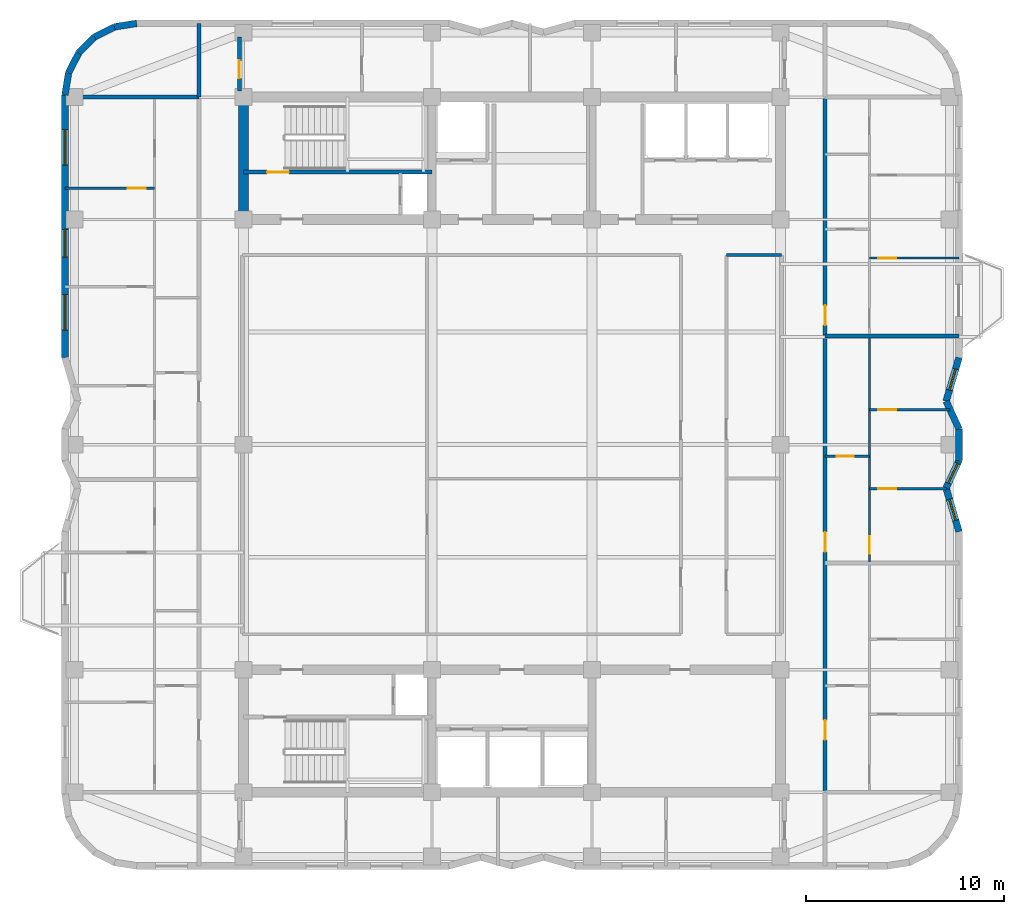
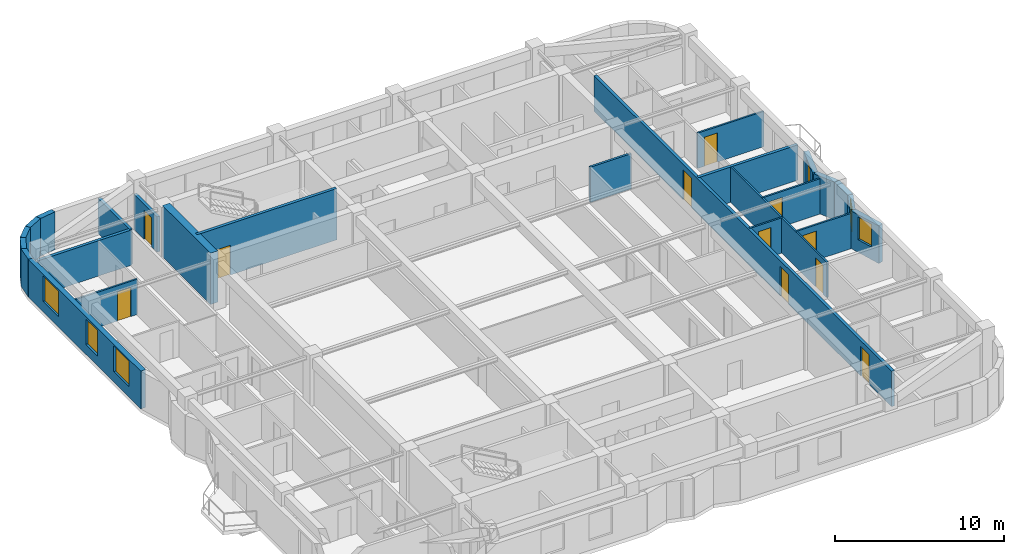
# One storey, part 5 of 9: 25 walls, 11 doors, 6 windows, 17 openings.
"""IFC4 building model written with IfcOpenShell, lengths in metres."""

from ifc_helpers import new_model, si_unit, direction, frame, frame_2d, origin, place, context, subcontext, project, spatial, rectangle, extrude, material, layer, layer_set, type_object, element, fill, save


model = new_model("IFC4")

# Units and contexts
model_context = context("Model", 3, precision=1e-05, world=origin(), true_north=direction((0.0, 1.0)))
body_context = subcontext(model_context, "Body", "Model", "MODEL_VIEW")
ifc_project = project(units=[si_unit("LENGTHUNIT", "METRE"), si_unit("AREAUNIT", "SQUARE_METRE"), si_unit("VOLUMEUNIT", "CUBIC_METRE"), si_unit("PLANEANGLEUNIT", "RADIAN"), si_unit("MASSUNIT", "GRAM", prefix="KILO")], contexts=[model_context])

# Site, building, storey
site_placement = place(None, origin())
site = spatial("IfcSite", under=ifc_project, at=site_placement, CompositionType="ELEMENT")
building_placement = place(site_placement, origin())
building = spatial("IfcBuilding", under=site, at=building_placement, Name="Svetorya Sky Lyceum", CompositionType="ELEMENT")
storey_placement = place(building_placement, frame((0.0, 0.0, 207.300048828125)))
storey = spatial("IfcBuildingStorey", under=building, at=storey_placement, Name="L51", CompositionType="ELEMENT", Elevation=207.300048828125)

# Wall
ifc_material_1 = material(Name="Concrete C50/60", Category="concrete")
ifc_layer_1 = layer(ifc_material_1, 0.5)
ifc_layer_set_1 = layer_set([ifc_layer_1], Name="Concrete C50/60")
wall_type_1 = type_object("IfcWallType", Name="WL-CORE-500", PredefinedType="SHEAR", material=ifc_layer_set_1)
wall_1_placement = place(storey_placement, frame((25.60009765625, 39.85009765625, 0.0), z_axis=(0.0, 0.0, 1.0), x_axis=(0.0, 1.0, 0.0)))
element("IfcWall", 1, at=wall_1_placement, inside=storey, type_object=wall_type_1, Name="L51 NC West Core Shear Wall", PredefinedType="SHEAR", context=body_context, shape_type="SweptSolid", body=[
    extrude(rectangle(XDim=5.699951171875, YDim=0.5, at=frame_2d((2.85009765625, 0.0))), origin(), (0.0, 0.0, 1.0), 3.699951171875),
])

# Wall, opening, window
ifc_material_2 = material(Name="Putilovo limestone rainscreen on autoclaved cellular masonry", Category="masonry")
ifc_layer_2 = layer(ifc_material_2, 0.340087890625)
ifc_layer_set_2 = layer_set([ifc_layer_2], Name="Putilovo limestone rainscreen on autoclaved cellular masonry")
wall_type_2 = type_object("IfcWallType", Name="WL-EXT-340", PredefinedType="SOLIDWALL", material=ifc_layer_set_2)
wall_2_placement = place(storey_placement, frame((61.830078125, 23.800048828125, 0.0), z_axis=(0.0, 0.0, 1.0), x_axis=(-0.283410652833, 0.958998645391, 0.0)))
wall_2 = element("IfcWall", 2, at=wall_2_placement, inside=storey, type_object=wall_type_2, Name="L51 Limestone Exterior Wall 18M", PredefinedType="SOLIDWALL", context=body_context, shape_type="SweptSolid", body=[
    extrude(rectangle(XDim=2.2939453125, YDim=0.340087890625, at=frame_2d((1.14697265625, 0.0))), origin(), (0.0, 0.0, 1.0), 2.719970703125),
])
opening_1_placement = place(wall_2_placement, frame((0.596923828125, 0.0, 0.909912109375)))
opening_1 = element("IfcOpeningElement", 3, at=opening_1_placement, cuts=wall_2, Name="Opening W-R3", PredefinedType="OPENING", context=body_context, shape_type="SweptSolid", body=[
    extrude(rectangle(XDim=1.10009765625, YDim=1.64990234375, at=frame_2d((0.550048828125, 0.824951171875))), frame((0.0, 0.179931640625, 0.0), z_axis=(0.0, -1.0, 0.0), x_axis=(1.0, 0.0, 0.0)), (0.0, 0.0, 1.0), 0.360107421875),
])
ifc_material_3 = material(Name="Thermally broken aluminium frame with triple low-E glazing", Category="aluminium")
window_type_1 = type_object("IfcWindowType", Name="WN-RES-110", PartitioningType="SINGLE_PANEL", PredefinedType="WINDOW", material=ifc_material_3)
window_1_placement = place(opening_1_placement, origin())
window_1 = element("IfcWindow", 4, at=window_1_placement, inside=storey, type_object=window_type_1, Name="L51 Facade Window W-R3.18M.1", OverallHeight=1.64990234375, OverallWidth=1.10009765625, PartitioningType="SINGLE_PANEL", PredefinedType="WINDOW", context=body_context, shape_type="SweptSolid", body=[
    extrude(rectangle(XDim=1.10009765625, YDim=1.64990234375, at=frame_2d((0.550048828125, 0.824951171875))), frame((0.0, 0.030029296875, 0.0), z_axis=(0.0, -1.0, 0.0), x_axis=(1.0, 0.0, 0.0)), (0.0, 0.0, 1.0), 0.06005859375),
])
fill(opening_1, window_1)

wall_3_placement = place(storey_placement, frame((61.179931640625, 26.0, 0.0), z_axis=(0.0, 0.0, 1.0), x_axis=(0.421213543339, 0.906961493619, 0.0)))
wall_3 = element("IfcWall", 5, at=wall_3_placement, inside=storey, type_object=wall_type_2, Name="L51 Limestone Exterior Wall 19M", PredefinedType="SOLIDWALL", context=body_context, shape_type="SweptSolid", body=[
    extrude(rectangle(XDim=1.54345703125, YDim=0.340087890625, at=frame_2d((0.771728515625, 0.0))), origin(), (0.0, 0.0, 1.0), 2.719970703125),
])
opening_2_placement = place(wall_3_placement, frame((0.280029296875, 0.0, 0.909912109375)))
opening_2 = element("IfcOpeningElement", 6, at=opening_2_placement, cuts=wall_3, Name="Opening W-R3", PredefinedType="OPENING", context=body_context, shape_type="SweptSolid", body=[
    extrude(rectangle(XDim=1.10009765625, YDim=1.64990234375, at=frame_2d((0.550048828125, 0.824951171875))), frame((0.0, 0.179931640625, 0.0), z_axis=(0.0, -1.0, 0.0), x_axis=(1.0, 0.0, 0.0)), (0.0, 0.0, 1.0), 0.360107421875),
])
window_2_placement = place(opening_2_placement, origin())
window_2 = element("IfcWindow", 7, at=window_2_placement, inside=storey, type_object=window_type_1, Name="L51 Facade Window W-R3.19M.1", OverallHeight=1.64990234375, OverallWidth=1.10009765625, PartitioningType="SINGLE_PANEL", PredefinedType="WINDOW", context=body_context, shape_type="SweptSolid", body=[
    extrude(rectangle(XDim=1.10009765625, YDim=1.64990234375, at=frame_2d((0.550048828125, 0.824951171875))), frame((0.0, 0.030029296875, 0.0), z_axis=(0.0, -1.0, 0.0), x_axis=(1.0, 0.0, 0.0)), (0.0, 0.0, 1.0), 0.06005859375),
])
fill(opening_2, window_2)

# Walls
wall_4_placement = place(storey_placement, frame((61.830078125, 27.39990234375, 0.0), z_axis=(0.0, 0.0, 1.0), x_axis=(0.0, 1.0, 0.0)))
element("IfcWall", 8, at=wall_4_placement, inside=storey, type_object=wall_type_2, Name="L51 Limestone Exterior Wall 20M", PredefinedType="SOLIDWALL", context=body_context, shape_type="SweptSolid", body=[
    extrude(rectangle(XDim=1.60009765625, YDim=0.340087890625, at=frame_2d((0.800048828125, 0.0))), origin(), (0.0, 0.0, 1.0), 2.719970703125),
])
wall_5_placement = place(storey_placement, frame((61.830078125, 29.0, 0.0), z_axis=(0.0, 0.0, 1.0), x_axis=(-0.421213543339, 0.906961493619, 0.0)))
element("IfcWall", 9, at=wall_5_placement, inside=storey, type_object=wall_type_2, Name="L51 Limestone Exterior Wall 21M", PredefinedType="SOLIDWALL", context=body_context, shape_type="SweptSolid", body=[
    extrude(rectangle(XDim=1.54345703125, YDim=0.340087890625, at=frame_2d((0.771728515625, 0.0))), origin(), (0.0, 0.0, 1.0), 2.719970703125),
])

# Wall, opening, window
wall_6_placement = place(storey_placement, frame((61.179931640625, 30.39990234375, 0.0), z_axis=(0.0, 0.0, 1.0), x_axis=(0.283381730269, 0.959007192335, 0.0)))
wall_6 = element("IfcWall", 10, at=wall_6_placement, inside=storey, type_object=wall_type_2, Name="L51 Limestone Exterior Wall 22M", PredefinedType="SOLIDWALL", context=body_context, shape_type="SweptSolid", body=[
    extrude(rectangle(XDim=2.294189453125, YDim=0.340087890625, at=frame_2d((1.14697265625, 0.0))), origin(), (0.0, 0.0, 1.0), 2.719970703125),
])
opening_3_placement = place(wall_6_placement, frame((0.596923828125, 0.0, 0.909912109375)))
opening_3 = element("IfcOpeningElement", 11, at=opening_3_placement, cuts=wall_6, Name="Opening W-R3", PredefinedType="OPENING", context=body_context, shape_type="SweptSolid", body=[
    extrude(rectangle(XDim=1.10009765625, YDim=1.64990234375, at=frame_2d((0.550048828125, 0.824951171875))), frame((0.0, 0.179931640625, 0.0), z_axis=(0.0, -1.0, 0.0), x_axis=(1.0, 0.0, 0.0)), (0.0, 0.0, 1.0), 0.360107421875),
])
window_3_placement = place(opening_3_placement, origin())
window_3 = element("IfcWindow", 12, at=window_3_placement, inside=storey, type_object=window_type_1, Name="L51 Facade Window W-R3.22M.1", OverallHeight=1.64990234375, OverallWidth=1.10009765625, PartitioningType="SINGLE_PANEL", PredefinedType="WINDOW", context=body_context, shape_type="SweptSolid", body=[
    extrude(rectangle(XDim=1.10009765625, YDim=1.64990234375, at=frame_2d((0.550048828125, 0.824951171875))), frame((0.0, 0.030029296875, 0.0), z_axis=(0.0, -1.0, 0.0), x_axis=(1.0, 0.0, 0.0)), (0.0, 0.0, 1.0), 0.06005859375),
])
fill(opening_3, window_3)

# Walls
wall_7_placement = place(storey_placement, frame((20.199951171875, 49.530029296875, 0.0), z_axis=(0.0, 0.0, 1.0), x_axis=(-0.987675651954, -0.156514556949, 0.0)))
element("IfcWall", 13, at=wall_7_placement, inside=storey, type_object=wall_type_2, Name="L51 Limestone Exterior Wall 35M", PredefinedType="SOLIDWALL", context=body_context, shape_type="SweptSolid", body=[
    extrude(rectangle(XDim=1.135498046875, YDim=0.340087890625, at=frame_2d((0.56787109375, 0.0))), origin(), (0.0, 0.0, 1.0), 2.719970703125),
])
for number, where, z_axis, x_axis, name in (
    (14, (19.078369140625, 49.352294921875, 0.0), (0.0, 0.0, 1.0), (-0.891005044957, -0.453993402883, 0.0), "L51 Limestone Exterior Wall 36M"),
    (15, (18.06640625, 48.836669921875, 0.0), (0.0, 0.0, 1.0), (-0.707214252388, -0.706999293649, 0.0), "L51 Limestone Exterior Wall 37M"),
    (16, (17.26318359375, 48.03369140625, 0.0), (0.0, 0.0, 1.0), (-0.453822724105, -0.891091990249, 0.0), "L51 Limestone Exterior Wall 38M"),
    (17, (16.747802734375, 47.021728515625, 0.0), (0.0, 0.0, 1.0), (-0.156481329164, -0.987680916907, 0.0), "L51 Limestone Exterior Wall 39M"),
):
    element("IfcWall", number, at=place(storey_placement, frame(where, z_axis=z_axis, x_axis=x_axis)), inside=storey, type_object=wall_type_2, Name=name, PredefinedType="SOLIDWALL", context=body_context, shape_type="SweptSolid", body=[
        extrude(rectangle(XDim=1.1357421875, YDim=0.340087890625, at=frame_2d((0.56787109375, 0.0))), origin(), (0.0, 0.0, 1.0), 2.719970703125),
    ])

# Wall, openings, windows
wall_8_placement = place(storey_placement, frame((16.570068359375, 45.89990234375, 0.0), z_axis=(0.0, 0.0, 1.0), x_axis=(0.0, -1.0, 0.0)))
wall_8 = element("IfcWall", 18, at=wall_8_placement, inside=storey, type_object=wall_type_2, Name="L51 Limestone Exterior Wall 40M", PredefinedType="SOLIDWALL", context=body_context, shape_type="SweptSolid", body=[
    extrude(rectangle(XDim=13.2998046875, YDim=0.340087890625, at=frame_2d((6.64990234375, 0.0))), origin(), (0.0, 0.0, 1.0), 2.719970703125),
])
opening_4_placement = place(wall_8_placement, frame((1.75, 0.0, 0.75)))
opening_4 = element("IfcOpeningElement", 19, at=opening_4_placement, cuts=wall_8, Name="Opening W-R1", PredefinedType="OPENING", context=body_context, shape_type="SweptSolid", body=[
    extrude(rectangle(XDim=1.800048828125, YDim=1.85009765625, at=frame_2d((0.89990234375, 0.925048828125))), frame((0.0, 0.179931640625, 0.0), z_axis=(0.0, -1.0, 0.0), x_axis=(1.0, 0.0, 0.0)), (0.0, 0.0, 1.0), 0.360107421875),
])
opening_5_placement = place(wall_8_placement, frame((6.800048828125, 0.0, 0.7099609375)))
opening_5 = element("IfcOpeningElement", 20, at=opening_5_placement, cuts=wall_8, Name="Opening W-R2", PredefinedType="OPENING", context=body_context, shape_type="SweptSolid", body=[
    extrude(rectangle(XDim=1.39990234375, YDim=1.85009765625, at=frame_2d((0.699951171875, 0.925048828125))), frame((0.0, 0.179931640625, 0.0), z_axis=(0.0, -1.0, 0.0), x_axis=(1.0, 0.0, 0.0)), (0.0, 0.0, 1.0), 0.360107421875),
])
opening_6_placement = place(wall_8_placement, frame((10.10009765625, 0.0, 0.75)))
opening_6 = element("IfcOpeningElement", 21, at=opening_6_placement, cuts=wall_8, Name="Opening W-R1", PredefinedType="OPENING", context=body_context, shape_type="SweptSolid", body=[
    extrude(rectangle(XDim=1.800048828125, YDim=1.85009765625, at=frame_2d((0.89990234375, 0.925048828125))), frame((0.0, 0.179931640625, 0.0), z_axis=(0.0, -1.0, 0.0), x_axis=(1.0, 0.0, 0.0)), (0.0, 0.0, 1.0), 0.360107421875),
])
window_type_2 = type_object("IfcWindowType", Name="WN-RES-140", PartitioningType="SINGLE_PANEL", PredefinedType="WINDOW", material=ifc_material_3)
window_4_placement = place(opening_5_placement, origin())
window_4 = element("IfcWindow", 22, at=window_4_placement, inside=storey, type_object=window_type_2, Name="L51 Facade Window W-R2.40M.3", OverallHeight=1.85009765625, OverallWidth=1.39990234375, PartitioningType="SINGLE_PANEL", PredefinedType="WINDOW", context=body_context, shape_type="SweptSolid", body=[
    extrude(rectangle(XDim=1.39990234375, YDim=1.85009765625, at=frame_2d((0.699951171875, 0.925048828125))), frame((0.0, 0.030029296875, 0.0), z_axis=(0.0, -1.0, 0.0), x_axis=(1.0, 0.0, 0.0)), (0.0, 0.0, 1.0), 0.06005859375),
])
fill(opening_5, window_4)
window_type_3 = type_object("IfcWindowType", Name="WN-RES-180", PartitioningType="DOUBLE_PANEL_VERTICAL", PredefinedType="WINDOW", material=ifc_material_3)
window_5_placement = place(opening_4_placement, origin())
window_5 = element("IfcWindow", 23, at=window_5_placement, inside=storey, type_object=window_type_3, Name="L51 Facade Window W-R1.40M.1", OverallHeight=1.85009765625, OverallWidth=1.800048828125, PartitioningType="SINGLE_PANEL", PredefinedType="WINDOW", context=body_context, shape_type="SweptSolid", body=[
    extrude(rectangle(XDim=1.800048828125, YDim=1.85009765625, at=frame_2d((0.89990234375, 0.925048828125))), frame((0.0, 0.030029296875, 0.0), z_axis=(0.0, -1.0, 0.0), x_axis=(1.0, 0.0, 0.0)), (0.0, 0.0, 1.0), 0.06005859375),
])
fill(opening_4, window_5)
window_6_placement = place(opening_6_placement, origin())
window_6 = element("IfcWindow", 24, at=window_6_placement, inside=storey, type_object=window_type_3, Name="L51 Facade Window W-R1.40M.2", OverallHeight=1.85009765625, OverallWidth=1.800048828125, PartitioningType="SINGLE_PANEL", PredefinedType="WINDOW", context=body_context, shape_type="SweptSolid", body=[
    extrude(rectangle(XDim=1.800048828125, YDim=1.85009765625, at=frame_2d((0.89990234375, 0.925048828125))), frame((0.0, 0.030029296875, 0.0), z_axis=(0.0, -1.0, 0.0), x_axis=(1.0, 0.0, 0.0)), (0.0, 0.0, 1.0), 0.06005859375),
])
fill(opening_6, window_6)

# Wall, opening, door
ifc_material_4 = material(Name="Twin-stud galvanized framing with double fireboard", Category="gypsum")
ifc_layer_3 = layer(ifc_material_4, 0.1201171875)
ifc_layer_set_3 = layer_set([ifc_layer_3], Name="Twin-stud galvanized framing with double fireboard")
wall_type_3 = type_object("IfcWallType", Name="WL-PART-120", PredefinedType="PARTITIONING", material=ifc_layer_set_3)
wall_9_placement = place(storey_placement, frame((16.570068359375, 41.18994140625, 0.0), z_axis=(0.0, 0.0, 1.0), x_axis=(1.0, 0.0, 0.0)))
wall_9 = element("IfcWall", 25, at=wall_9_placement, inside=storey, type_object=wall_type_3, Name="L51 Interior Partition W2-WL3", PredefinedType="PARTITIONING", context=body_context, shape_type="SweptSolid", body=[
    extrude(rectangle(XDim=4.530029296875, YDim=0.1201171875, at=frame_2d((2.26513671875, 0.0))), origin(), (0.0, 0.0, 1.0), 2.550048828125),
])
opening_7_placement = place(wall_9_placement, frame((3.179931640625, 0.0, 0.0)))
opening_7 = element("IfcOpeningElement", 26, at=opening_7_placement, cuts=wall_9, Name="Opening D-RM1", PredefinedType="OPENING", context=body_context, shape_type="SweptSolid", body=[
    extrude(rectangle(XDim=0.89990234375, YDim=2.10009765625, at=frame_2d((0.449951171875, 1.050048828125))), frame((0.0, 0.070068359375, 0.0), z_axis=(0.0, -1.0, 0.0), x_axis=(1.0, 0.0, 0.0)), (0.0, 0.0, 1.0), 0.14013671875),
])
ifc_material_5 = material(Name="Lacquered birch veneer internal door")
door_type_1 = type_object("IfcDoorType", Name="DR-INT-900", OperationType="SINGLE_SWING_LEFT", PredefinedType="DOOR", material=ifc_material_5)
door_1_placement = place(opening_7_placement, origin())
door_1 = element("IfcDoor", 27, at=door_1_placement, inside=storey, type_object=door_type_1, Name="Apartment W2 Bedroom 3 Door", OperationType="SINGLE_SWING_RIGHT", OverallHeight=2.10009765625, OverallWidth=0.89990234375, PredefinedType="DOOR", context=body_context, shape_type="SweptSolid", body=[
    extrude(rectangle(XDim=0.89990234375, YDim=2.10009765625, at=frame_2d((0.449951171875, 1.050048828125))), frame((0.0, 0.02490234375, 0.0), z_axis=(0.0, -1.0, 0.0), x_axis=(1.0, 0.0, 0.0)), (0.0, 0.0, 1.0), 0.050048828125),
])
fill(opening_7, door_1)

wall_10_placement = place(storey_placement, frame((55.050048828125, 27.615966796875, 0.0), z_axis=(0.0, 0.0, 1.0), x_axis=(1.0, 0.0, 0.0)))
wall_10 = element("IfcWall", 28, at=wall_10_placement, inside=storey, type_object=wall_type_3, Name="L51 Interior Partition E2-WH1", PredefinedType="PARTITIONING", context=body_context, shape_type="SweptSolid", body=[
    extrude(rectangle(XDim=2.25, YDim=0.1201171875, at=frame_2d((1.125, 0.0))), origin(), (0.0, 0.0, 1.0), 2.550048828125),
])
opening_8_placement = place(wall_10_placement, frame((0.60009765625, 0.0, 0.0)))
opening_8 = element("IfcOpeningElement", 29, at=opening_8_placement, cuts=wall_10, Name="Opening D-BT1", PredefinedType="OPENING", context=body_context, shape_type="SweptSolid", body=[
    extrude(rectangle(XDim=0.85009765625, YDim=2.10009765625, at=frame_2d((0.425048828125, 1.050048828125))), frame((0.0, 0.070068359375, 0.0), z_axis=(0.0, -1.0, 0.0), x_axis=(1.0, 0.0, 0.0)), (0.0, 0.0, 1.0), 0.14013671875),
])
ifc_material_6 = material(Name="Moisture-resistant laminate bathroom door")
door_type_2 = type_object("IfcDoorType", Name="DR-WET-850", OperationType="SINGLE_SWING_LEFT", PredefinedType="DOOR", material=ifc_material_6)
door_2_placement = place(opening_8_placement, origin())
door_2 = element("IfcDoor", 30, at=door_2_placement, inside=storey, type_object=door_type_2, Name="Apartment E2 Bathroom Door", OperationType="SINGLE_SWING_LEFT", OverallHeight=2.10009765625, OverallWidth=0.85009765625, PredefinedType="DOOR", context=body_context, shape_type="SweptSolid", body=[
    extrude(rectangle(XDim=0.85009765625, YDim=2.10009765625, at=frame_2d((0.425048828125, 1.050048828125))), frame((0.0, 0.02490234375, 0.0), z_axis=(0.0, -1.0, 0.0), x_axis=(1.0, 0.0, 0.0)), (0.0, 0.0, 1.0), 0.050048828125),
])
fill(opening_8, door_2)

wall_11_placement = place(storey_placement, frame((57.300048828125, 25.966064453125, 0.0), z_axis=(0.0, 0.0, 1.0), x_axis=(1.0, 0.0, 0.0)))
wall_11 = element("IfcWall", 31, at=wall_11_placement, inside=storey, type_object=wall_type_3, Name="L51 Interior Partition E2-WL1", PredefinedType="PARTITIONING", context=body_context, shape_type="SweptSolid", body=[
    extrude(rectangle(XDim=3.889892578125, YDim=0.1201171875, at=frame_2d((1.94482421875, 0.0))), origin(), (0.0, 0.0, 1.0), 2.550048828125),
])
opening_9_placement = place(wall_11_placement, frame((0.449951171875, 0.0, 0.0)))
opening_9 = element("IfcOpeningElement", 32, at=opening_9_placement, cuts=wall_11, Name="Opening D-RM1", PredefinedType="OPENING", context=body_context, shape_type="SweptSolid", body=[
    extrude(rectangle(XDim=0.89990234375, YDim=2.10009765625, at=frame_2d((0.449951171875, 1.050048828125))), frame((0.0, 0.070068359375, 0.0), z_axis=(0.0, -1.0, 0.0), x_axis=(1.0, 0.0, 0.0)), (0.0, 0.0, 1.0), 0.14013671875),
])
door_3_placement = place(opening_9_placement, origin())
door_3 = element("IfcDoor", 33, at=door_3_placement, inside=storey, type_object=door_type_1, Name="Apartment E2 Master Bedroom Door", OperationType="SINGLE_SWING_LEFT", OverallHeight=2.10009765625, OverallWidth=0.89990234375, PredefinedType="DOOR", context=body_context, shape_type="SweptSolid", body=[
    extrude(rectangle(XDim=0.89990234375, YDim=2.10009765625, at=frame_2d((0.449951171875, 1.050048828125))), frame((0.0, 0.02490234375, 0.0), z_axis=(0.0, -1.0, 0.0), x_axis=(1.0, 0.0, 0.0)), (0.0, 0.0, 1.0), 0.050048828125),
])
fill(opening_9, door_3)

wall_12_placement = place(storey_placement, frame((57.300048828125, 29.966064453125, 0.0), z_axis=(0.0, 0.0, 1.0), x_axis=(1.0, 0.0, 0.0)))
wall_12 = element("IfcWall", 34, at=wall_12_placement, inside=storey, type_object=wall_type_3, Name="L51 Interior Partition E2-WL2", PredefinedType="PARTITIONING", context=body_context, shape_type="SweptSolid", body=[
    extrude(rectangle(XDim=4.08154296875, YDim=0.1201171875, at=frame_2d((2.040771484375, 0.0))), origin(), (0.0, 0.0, 1.0), 2.550048828125),
])
opening_10_placement = place(wall_12_placement, frame((0.449951171875, 0.0, 0.0)))
opening_10 = element("IfcOpeningElement", 35, at=opening_10_placement, cuts=wall_12, Name="Opening D-RM1", PredefinedType="OPENING", context=body_context, shape_type="SweptSolid", body=[
    extrude(rectangle(XDim=0.89990234375, YDim=2.10009765625, at=frame_2d((0.449951171875, 1.050048828125))), frame((0.0, 0.070068359375, 0.0), z_axis=(0.0, -1.0, 0.0), x_axis=(1.0, 0.0, 0.0)), (0.0, 0.0, 1.0), 0.14013671875),
])
door_4_placement = place(opening_10_placement, origin())
door_4 = element("IfcDoor", 36, at=door_4_placement, inside=storey, type_object=door_type_1, Name="Apartment E2 Bedroom 2 Door", OperationType="SINGLE_SWING_RIGHT", OverallHeight=2.10009765625, OverallWidth=0.89990234375, PredefinedType="DOOR", context=body_context, shape_type="SweptSolid", body=[
    extrude(rectangle(XDim=0.89990234375, YDim=2.10009765625, at=frame_2d((0.449951171875, 1.050048828125))), frame((0.0, 0.02490234375, 0.0), z_axis=(0.0, -1.0, 0.0), x_axis=(1.0, 0.0, 0.0)), (0.0, 0.0, 1.0), 0.050048828125),
])
fill(opening_10, door_4)

wall_13_placement = place(storey_placement, frame((57.300048828125, 22.256103515625, 0.0), z_axis=(0.0, 0.0, 1.0), x_axis=(0.0, 1.0, 0.0)))
wall_13 = element("IfcWall", 37, at=wall_13_placement, inside=storey, type_object=wall_type_3, Name="L51 Interior Partition E2-WV", PredefinedType="PARTITIONING", context=body_context, shape_type="SweptSolid", body=[
    extrude(rectangle(XDim=11.40380859375, YDim=0.1201171875, at=frame_2d((5.701904296875, 0.0))), origin(), (0.0, 0.0, 1.0), 2.550048828125),
])
opening_11_placement = place(wall_13_placement, frame((0.409912109375, 0.0, 0.0)))
opening_11 = element("IfcOpeningElement", 38, at=opening_11_placement, cuts=wall_13, Name="Opening D-RM1", PredefinedType="OPENING", context=body_context, shape_type="SweptSolid", body=[
    extrude(rectangle(XDim=0.89990234375, YDim=2.10009765625, at=frame_2d((0.449951171875, 1.050048828125))), frame((0.0, 0.070068359375, 0.0), z_axis=(0.0, -1.0, 0.0), x_axis=(1.0, 0.0, 0.0)), (0.0, 0.0, 1.0), 0.14013671875),
])
door_5_placement = place(opening_11_placement, origin())
door_5 = element("IfcDoor", 39, at=door_5_placement, inside=storey, type_object=door_type_1, Name="Apartment E2 Living Door", OperationType="SINGLE_SWING_RIGHT", OverallHeight=2.10009765625, OverallWidth=0.89990234375, PredefinedType="DOOR", context=body_context, shape_type="SweptSolid", body=[
    extrude(rectangle(XDim=0.89990234375, YDim=2.10009765625, at=frame_2d((0.449951171875, 1.050048828125))), frame((0.0, 0.02490234375, 0.0), z_axis=(0.0, -1.0, 0.0), x_axis=(1.0, 0.0, 0.0)), (0.0, 0.0, 1.0), 0.050048828125),
])
fill(opening_11, door_5)

wall_14_placement = place(storey_placement, frame((57.300048828125, 37.64990234375, 0.0), z_axis=(0.0, 0.0, 1.0), x_axis=(1.0, 0.0, 0.0)))
wall_14 = element("IfcWall", 40, at=wall_14_placement, inside=storey, type_object=wall_type_3, Name="L51 Interior Partition E3-WL1", PredefinedType="PARTITIONING", context=body_context, shape_type="SweptSolid", body=[
    extrude(rectangle(XDim=4.530029296875, YDim=0.1201171875, at=frame_2d((2.26513671875, 0.0))), origin(), (0.0, 0.0, 1.0), 2.550048828125),
])
opening_12_placement = place(wall_14_placement, frame((0.449951171875, 0.0, 0.0)))
opening_12 = element("IfcOpeningElement", 41, at=opening_12_placement, cuts=wall_14, Name="Opening D-RM1", PredefinedType="OPENING", context=body_context, shape_type="SweptSolid", body=[
    extrude(rectangle(XDim=0.89990234375, YDim=2.10009765625, at=frame_2d((0.449951171875, 1.050048828125))), frame((0.0, 0.070068359375, 0.0), z_axis=(0.0, -1.0, 0.0), x_axis=(1.0, 0.0, 0.0)), (0.0, 0.0, 1.0), 0.14013671875),
])
door_6_placement = place(opening_12_placement, origin())
door_6 = element("IfcDoor", 42, at=door_6_placement, inside=storey, type_object=door_type_1, Name="Apartment E3 Master Bedroom Door", OperationType="SINGLE_SWING_RIGHT", OverallHeight=2.10009765625, OverallWidth=0.89990234375, PredefinedType="DOOR", context=body_context, shape_type="SweptSolid", body=[
    extrude(rectangle(XDim=0.89990234375, YDim=2.10009765625, at=frame_2d((0.449951171875, 1.050048828125))), frame((0.0, 0.02490234375, 0.0), z_axis=(0.0, -1.0, 0.0), x_axis=(1.0, 0.0, 0.0)), (0.0, 0.0, 1.0), 0.050048828125),
])
fill(opening_12, door_6)

# Walls
ifc_material_7 = material(Name="Autoclaved cellular masonry blockwork with acoustic render", Category="masonry")
ifc_layer_4 = layer(ifc_material_7, 0.14990234375)
ifc_layer_set_4 = layer_set([ifc_layer_4], Name="Autoclaved cellular masonry blockwork with acoustic render")
wall_type_4 = type_object("IfcWallType", Name="WL-PART-150", PredefinedType="PARTITIONING", material=ifc_layer_set_4)
wall_15_placement = place(storey_placement, frame((50.050048828125, 37.800048828125, 0.0), z_axis=(0.0, 0.0, 1.0), x_axis=(1.0, 0.0, 0.0)))
element("IfcWall", 43, at=wall_15_placement, inside=storey, type_object=wall_type_4, Name="L51 Interior Partition OFF-CN-E", PredefinedType="PARTITIONING", context=body_context, shape_type="SweptSolid", body=[
    extrude(rectangle(XDim=2.800048828125, YDim=0.14990234375, at=frame_2d((1.39990234375, 0.0))), origin(), (0.0, 0.0, 1.0), 2.550048828125),
])
ifc_material_8 = material(Name="Autoclaved cellular masonry blockwork with gypsum plaster", Category="masonry")
ifc_layer_5 = layer(ifc_material_8, 0.199951171875)
ifc_layer_set_5 = layer_set([ifc_layer_5], Name="Autoclaved cellular masonry blockwork with gypsum plaster")
wall_type_5 = type_object("IfcWallType", Name="WL-PART-200", PredefinedType="PARTITIONING", material=ifc_layer_set_5)
wall_16_placement = place(storey_placement, frame((16.989990234375, 45.800048828125, 0.0), z_axis=(0.0, 0.0, 1.0), x_axis=(1.0, 0.0, 0.0)))
element("IfcWall", 44, at=wall_16_placement, inside=storey, type_object=wall_type_5, Name="L51 Interior Partition W-CAP-N", PredefinedType="PARTITIONING", context=body_context, shape_type="SweptSolid", body=[
    extrude(rectangle(XDim=6.360107421875, YDim=0.199951171875, at=frame_2d((3.18017578125, 0.0))), origin(), (0.0, 0.0, 1.0), 2.550048828125),
])
wall_17_placement = place(storey_placement, frame((55.050048828125, 33.699951171875, 0.0), z_axis=(0.0, 0.0, 1.0), x_axis=(1.0, 0.0, 0.0)))
element("IfcWall", 45, at=wall_17_placement, inside=storey, type_object=wall_type_5, Name="L51 Interior Partition E-PARTY-2", PredefinedType="PARTITIONING", context=body_context, shape_type="SweptSolid", body=[
    extrude(rectangle(XDim=6.780029296875, YDim=0.199951171875, at=frame_2d((3.39013671875, 0.0))), origin(), (0.0, 0.0, 1.0), 2.550048828125),
])

# Wall, openings, doors
wall_18_placement = place(storey_placement, frame((55.050048828125, 10.60009765625, 0.0), z_axis=(0.0, 0.0, 1.0), x_axis=(0.0, 1.0, 0.0)))
wall_18 = element("IfcWall", 46, at=wall_18_placement, inside=storey, type_object=wall_type_5, Name="L51 Interior Partition E-CORRW", PredefinedType="PARTITIONING", context=body_context, shape_type="SweptSolid", body=[
    extrude(rectangle(XDim=35.199951171875, YDim=0.199951171875, at=frame_2d((17.60009765625, 0.0))), origin(), (0.0, 0.0, 1.0), 2.550048828125),
])
opening_13_placement = place(wall_18_placement, frame((2.64990234375, 0.0, 0.0)))
opening_13 = element("IfcOpeningElement", 47, at=opening_13_placement, cuts=wall_18, Name="Opening D-APT1", PredefinedType="OPENING", context=body_context, shape_type="SweptSolid", body=[
    extrude(rectangle(XDim=1.0, YDim=2.14990234375, at=frame_2d((0.5, 1.074951171875))), frame((0.0, 0.10986328125, 0.0), z_axis=(0.0, -1.0, 0.0), x_axis=(1.0, 0.0, 0.0)), (0.0, 0.0, 1.0), 0.219970703125),
])
opening_14_placement = place(wall_18_placement, frame((12.166015625, 0.0, 0.0)))
opening_14 = element("IfcOpeningElement", 48, at=opening_14_placement, cuts=wall_18, Name="Opening D-APT1", PredefinedType="OPENING", context=body_context, shape_type="SweptSolid", body=[
    extrude(rectangle(XDim=1.0, YDim=2.14990234375, at=frame_2d((0.5, 1.074951171875))), frame((0.0, 0.10986328125, 0.0), z_axis=(0.0, -1.0, 0.0), x_axis=(1.0, 0.0, 0.0)), (0.0, 0.0, 1.0), 0.219970703125),
])
opening_15_placement = place(wall_18_placement, frame((23.64990234375, 0.0, 0.0)))
opening_15 = element("IfcOpeningElement", 49, at=opening_15_placement, cuts=wall_18, Name="Opening D-APT1", PredefinedType="OPENING", context=body_context, shape_type="SweptSolid", body=[
    extrude(rectangle(XDim=1.0, YDim=2.14990234375, at=frame_2d((0.5, 1.074951171875))), frame((0.0, 0.10986328125, 0.0), z_axis=(0.0, -1.0, 0.0), x_axis=(1.0, 0.0, 0.0)), (0.0, 0.0, 1.0), 0.219970703125),
])
ifc_material_9 = material(Name="Insulated oak-veneered apartment entrance door")
door_type_3 = type_object("IfcDoorType", Name="DR-APT-1000", OperationType="SINGLE_SWING_LEFT", PredefinedType="DOOR", material=ifc_material_9)
door_7_placement = place(opening_13_placement, origin())
door_7 = element("IfcDoor", 50, at=door_7_placement, inside=storey, type_object=door_type_3, Name="L51 Apartment E1 Entrance Door", OperationType="SINGLE_SWING_RIGHT", OverallHeight=2.14990234375, OverallWidth=1.0, PredefinedType="DOOR", context=body_context, shape_type="SweptSolid", body=[
    extrude(rectangle(XDim=1.0, YDim=2.14990234375, at=frame_2d((0.5, 1.074951171875))), frame((0.0, 0.02490234375, 0.0), z_axis=(0.0, -1.0, 0.0), x_axis=(1.0, 0.0, 0.0)), (0.0, 0.0, 1.0), 0.050048828125),
])
fill(opening_13, door_7)
door_8_placement = place(opening_14_placement, origin())
door_8 = element("IfcDoor", 51, at=door_8_placement, inside=storey, type_object=door_type_3, Name="L51 Apartment E2 Entrance Door", OperationType="SINGLE_SWING_LEFT", OverallHeight=2.14990234375, OverallWidth=1.0, PredefinedType="DOOR", context=body_context, shape_type="SweptSolid", body=[
    extrude(rectangle(XDim=1.0, YDim=2.14990234375, at=frame_2d((0.5, 1.074951171875))), frame((0.0, 0.02490234375, 0.0), z_axis=(0.0, -1.0, 0.0), x_axis=(1.0, 0.0, 0.0)), (0.0, 0.0, 1.0), 0.050048828125),
])
fill(opening_14, door_8)
door_9_placement = place(opening_15_placement, origin())
door_9 = element("IfcDoor", 52, at=door_9_placement, inside=storey, type_object=door_type_3, Name="L51 Apartment E3 Entrance Door", OperationType="SINGLE_SWING_RIGHT", OverallHeight=2.14990234375, OverallWidth=1.0, PredefinedType="DOOR", context=body_context, shape_type="SweptSolid", body=[
    extrude(rectangle(XDim=1.0, YDim=2.14990234375, at=frame_2d((0.5, 1.074951171875))), frame((0.0, 0.02490234375, 0.0), z_axis=(0.0, -1.0, 0.0), x_axis=(1.0, 0.0, 0.0)), (0.0, 0.0, 1.0), 0.050048828125),
])
fill(opening_15, door_9)

# Wall
wall_19_placement = place(storey_placement, frame((23.35009765625, 45.800048828125, 0.0), z_axis=(0.0, 0.0, 1.0), x_axis=(0.0, 1.0, 0.0)))
element("IfcWall", 53, at=wall_19_placement, inside=storey, type_object=wall_type_5, Name="L51 Interior Partition WC-NW-END", PredefinedType="PARTITIONING", context=body_context, shape_type="SweptSolid", body=[
    extrude(rectangle(XDim=3.72998046875, YDim=0.199951171875, at=frame_2d((1.864990234375, 0.0))), origin(), (0.0, 0.0, 1.0), 2.550048828125),
])

# Wall, opening, door
wall_20_placement = place(storey_placement, frame((25.39990234375, 46.10009765625, 0.0), z_axis=(0.0, 0.0, 1.0), x_axis=(0.0, 1.0, 0.0)))
wall_20 = element("IfcWall", 54, at=wall_20_placement, inside=storey, type_object=wall_type_5, Name="L51 Interior Partition N4-EW", PredefinedType="PARTITIONING", context=body_context, shape_type="SweptSolid", body=[
    extrude(rectangle(XDim=2.72998046875, YDim=0.199951171875, at=frame_2d((1.364990234375, 0.0))), origin(), (0.0, 0.0, 1.0), 2.550048828125),
])
opening_16_placement = place(wall_20_placement, frame((0.64990234375, 0.0, 0.0)))
opening_16 = element("IfcOpeningElement", 55, at=opening_16_placement, cuts=wall_20, Name="Opening D-RM1", PredefinedType="OPENING", context=body_context, shape_type="SweptSolid", body=[
    extrude(rectangle(XDim=0.89990234375, YDim=2.10009765625, at=frame_2d((0.449951171875, 1.050048828125))), frame((0.0, 0.10986328125, 0.0), z_axis=(0.0, -1.0, 0.0), x_axis=(1.0, 0.0, 0.0)), (0.0, 0.0, 1.0), 0.219970703125),
])
door_10_placement = place(opening_16_placement, origin())
door_10 = element("IfcDoor", 56, at=door_10_placement, inside=storey, type_object=door_type_1, Name="L51 NW Study Door", OperationType="SINGLE_SWING_RIGHT", OverallHeight=2.10009765625, OverallWidth=0.89990234375, PredefinedType="DOOR", context=body_context, shape_type="SweptSolid", body=[
    extrude(rectangle(XDim=0.89990234375, YDim=2.10009765625, at=frame_2d((0.449951171875, 1.050048828125))), frame((0.0, 0.02490234375, 0.0), z_axis=(0.0, -1.0, 0.0), x_axis=(1.0, 0.0, 0.0)), (0.0, 0.0, 1.0), 0.050048828125),
])
fill(opening_16, door_10)

ifc_layer_6 = layer(ifc_material_1, 0.199951171875)
ifc_layer_set_6 = layer_set([ifc_layer_6], Name="Concrete C50/60")
wall_type_6 = type_object("IfcWallType", Name="WL-SHW-200", PredefinedType="SHEAR", material=ifc_layer_set_6)
wall_21_placement = place(storey_placement, frame((35.14990234375, 42.0, 0.0), z_axis=(0.0, 0.0, 1.0), x_axis=(-1.0, 0.0, 0.0)))
wall_21 = element("IfcWall", 57, at=wall_21_placement, inside=storey, type_object=wall_type_6, Name="L51 Structural Stair Shaft Wall NC-STW", PredefinedType="SHEAR", context=body_context, shape_type="SweptSolid", body=[
    extrude(rectangle(XDim=9.5498046875, YDim=0.199951171875, at=frame_2d((4.77490234375, 0.0))), origin(), (0.0, 0.0, 1.0), 3.699951171875),
])
opening_17_placement = place(wall_21_placement, frame((7.25, 0.0, 0.0)))
opening_17 = element("IfcOpeningElement", 58, at=opening_17_placement, cuts=wall_21, Name="Opening D-ST1", PredefinedType="OPENING", context=body_context, shape_type="SweptSolid", body=[
    extrude(rectangle(XDim=1.10009765625, YDim=2.14990234375, at=frame_2d((0.550048828125, 1.074951171875))), frame((0.0, 0.10986328125, 0.0), z_axis=(0.0, -1.0, 0.0), x_axis=(1.0, 0.0, 0.0)), (0.0, 0.0, 1.0), 0.219970703125),
])
ifc_material_10 = material(Name="Powder-coated insulated galvanized stair fire door")
door_type_4 = type_object("IfcDoorType", Name="DR-FIRE-1100", OperationType="SINGLE_SWING_LEFT", PredefinedType="DOOR", material=ifc_material_10)
door_11_placement = place(opening_17_placement, origin())
door_11 = element("IfcDoor", 59, at=door_11_placement, inside=storey, type_object=door_type_4, Name="L51 Stair ST-N Vestibule Fire Door", OperationType="SINGLE_SWING_RIGHT", OverallHeight=2.14990234375, OverallWidth=1.10009765625, PredefinedType="DOOR", context=body_context, shape_type="SweptSolid", body=[
    extrude(rectangle(XDim=1.10009765625, YDim=2.14990234375, at=frame_2d((0.550048828125, 1.074951171875))), frame((0.0, 0.02490234375, 0.0), z_axis=(0.0, -1.0, 0.0), x_axis=(1.0, 0.0, 0.0)), (0.0, 0.0, 1.0), 0.050048828125),
])
fill(opening_17, door_11)

save(model, "model.ifc")
